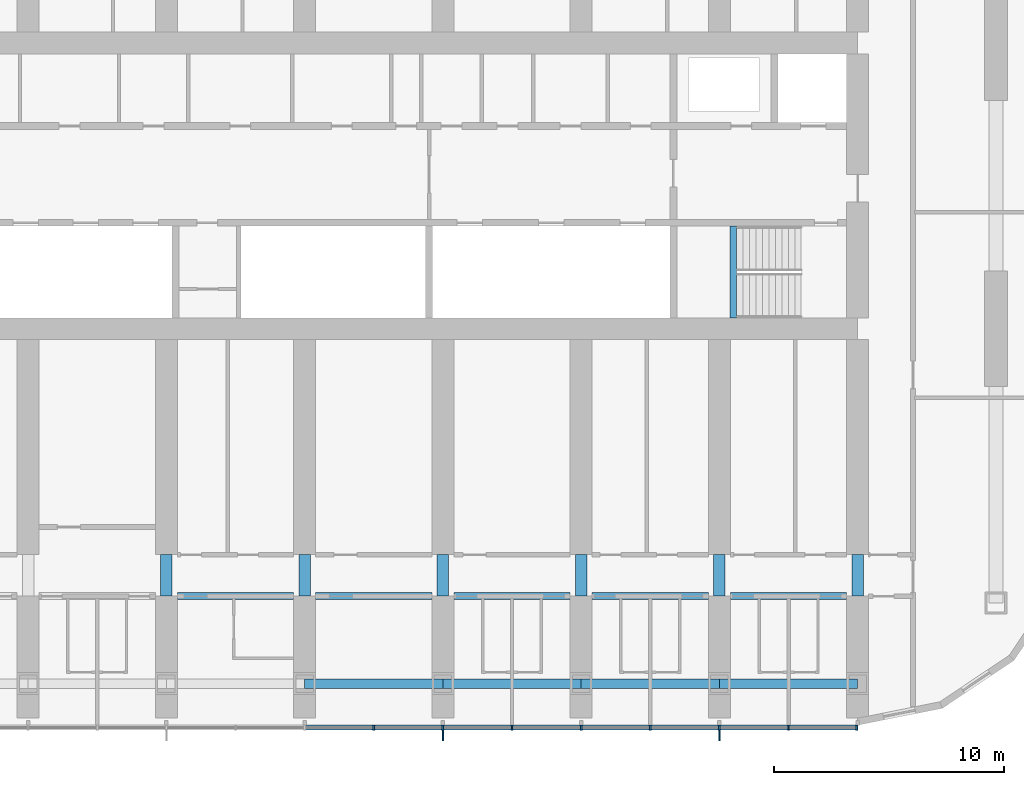
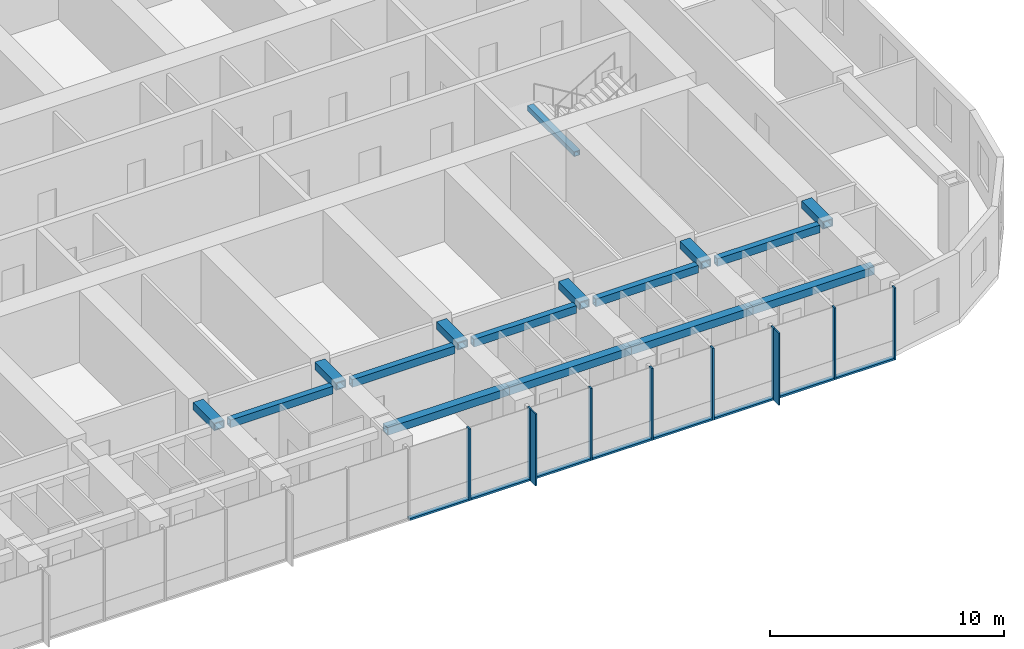
# One storey, part 3 of 22: 18 members, 16 beams, 1 element without a shape of its own.
"""IFC4 building model written with IfcOpenShell, lengths in metres."""

from ifc_helpers import new_model, si_unit, direction, frame, origin, origin_2d, place, context, subcontext, project, spatial, rectangle, hollow_rectangle, extrude, material, material_profile, profile_set, type_object, element, aggregate, save


model = new_model("IFC4")

# Units and contexts
model_context = context("Model", 3, precision=1e-05, world=origin(), true_north=direction((0.0, 1.0)))
body_context = subcontext(model_context, "Body", "Model", "MODEL_VIEW")
ifc_project = project(units=[si_unit("LENGTHUNIT", "METRE"), si_unit("AREAUNIT", "SQUARE_METRE"), si_unit("VOLUMEUNIT", "CUBIC_METRE"), si_unit("PLANEANGLEUNIT", "RADIAN"), si_unit("MASSUNIT", "GRAM", prefix="KILO")], contexts=[model_context])

# Site, building, storey
site_placement = place(None, origin())
site = spatial("IfcSite", under=ifc_project, at=site_placement, CompositionType="ELEMENT")
building_placement = place(site_placement, origin())
building = spatial("IfcBuilding", under=site, at=building_placement, Name="Orbita Commons", CompositionType="ELEMENT")
storey_placement = place(building_placement, frame((0.0, 0.0, 121.89990234375)))
storey = spatial("IfcBuildingStorey", under=building, at=storey_placement, Name="L30", CompositionType="ELEMENT", Elevation=121.89990234375)

# Curtain wall, members
ifc_material_1 = material(Name="Anodised aluminium frame, pale silver", Category="aluminium")
curtain_wall_type = type_object("IfcCurtainWallType", Name="Unitised curtain wall CW-T, vision and spandrel", PredefinedType="NOTDEFINED", material=ifc_material_1)
curtain_wall_placement = place(storey_placement, origin())
curtain_wall = element("IfcCurtainWall", 1, at=curtain_wall_placement, inside=storey, type_object=curtain_wall_type, Name="Curtain wall south L30", PredefinedType="NOTDEFINED")
ifc_material_2 = material(Name="Anodised aluminium, pale silver", Category="aluminium")
ifc_material_profile_1 = material_profile(ifc_material_2, rectangle(XDim=0.080078125, YDim=0.219970703125, at=origin_2d()), Name="AL 80x220")
ifc_profile_set_1 = profile_set([ifc_material_profile_1], Name="Anodised aluminium, pale silver")
member_type_1 = type_object("IfcMemberType", Name="Curtain wall mullion 80x220", PredefinedType="MULLION", material=ifc_profile_set_1)
member_1_placement = place(storey_placement, frame((45.0, 8.489990234375, -0.25), z_axis=(0.0, 0.0, 1.0), x_axis=(1.0, 0.0, 0.0)))
member_1 = element("IfcMember", 2, at=member_1_placement, type_object=member_type_1, Name="Mullion 12 CW-L30-S", PredefinedType="MULLION", context=body_context, shape_type="SweptSolid", body=[
    extrude(rectangle(XDim=0.080078125, YDim=0.219970703125, at=origin_2d()), origin(), (0.0, 0.0, 1.0), 3.75),
])
member_2_placement = place(storey_placement, frame((48.0, 8.489990234375, -0.25), z_axis=(0.0, 0.0, 1.0), x_axis=(1.0, 0.0, 0.0)))
member_2 = element("IfcMember", 3, at=member_2_placement, type_object=member_type_1, Name="Mullion 13 CW-L30-S", PredefinedType="MULLION", context=body_context, shape_type="SweptSolid", body=[
    extrude(rectangle(XDim=0.080078125, YDim=0.219970703125, at=origin_2d()), origin(), (0.0, 0.0, 1.0), 3.75),
])
member_3_placement = place(storey_placement, frame((51.0, 8.489990234375, -0.25), z_axis=(0.0, 0.0, 1.0), x_axis=(1.0, 0.0, 0.0)))
member_3 = element("IfcMember", 4, at=member_3_placement, type_object=member_type_1, Name="Mullion 14 CW-L30-S", PredefinedType="MULLION", context=body_context, shape_type="SweptSolid", body=[
    extrude(rectangle(XDim=0.080078125, YDim=0.219970703125, at=origin_2d()), origin(), (0.0, 0.0, 1.0), 3.75),
])
member_4_placement = place(storey_placement, frame((54.0, 8.489990234375, -0.25), z_axis=(0.0, 0.0, 1.0), x_axis=(1.0, 0.0, 0.0)))
member_4 = element("IfcMember", 5, at=member_4_placement, type_object=member_type_1, Name="Mullion 15 CW-L30-S", PredefinedType="MULLION", context=body_context, shape_type="SweptSolid", body=[
    extrude(rectangle(XDim=0.080078125, YDim=0.219970703125, at=origin_2d()), origin(), (0.0, 0.0, 1.0), 3.75),
])
member_5_placement = place(storey_placement, frame((57.0, 8.489990234375, -0.25), z_axis=(0.0, 0.0, 1.0), x_axis=(1.0, 0.0, 0.0)))
member_5 = element("IfcMember", 6, at=member_5_placement, type_object=member_type_1, Name="Mullion 16 CW-L30-S", PredefinedType="MULLION", context=body_context, shape_type="SweptSolid", body=[
    extrude(rectangle(XDim=0.080078125, YDim=0.219970703125, at=origin_2d()), origin(), (0.0, 0.0, 1.0), 3.75),
])
member_6_placement = place(storey_placement, frame((60.0, 8.489990234375, -0.25), z_axis=(0.0, 0.0, 1.0), x_axis=(1.0, 0.0, 0.0)))
member_6 = element("IfcMember", 7, at=member_6_placement, type_object=member_type_1, Name="Mullion 17 CW-L30-S", PredefinedType="MULLION", context=body_context, shape_type="SweptSolid", body=[
    extrude(rectangle(XDim=0.080078125, YDim=0.219970703125, at=origin_2d()), origin(), (0.0, 0.0, 1.0), 3.75),
])
member_7_placement = place(storey_placement, frame((63.0, 8.489990234375, -0.25), z_axis=(0.0, 0.0, 1.0), x_axis=(1.0, 0.0, 0.0)))
member_7 = element("IfcMember", 8, at=member_7_placement, type_object=member_type_1, Name="Mullion 18 CW-L30-S", PredefinedType="MULLION", context=body_context, shape_type="SweptSolid", body=[
    extrude(rectangle(XDim=0.080078125, YDim=0.219970703125, at=origin_2d()), origin(), (0.0, 0.0, 1.0), 3.75),
])
member_8_placement = place(storey_placement, frame((65.9599609375, 8.489990234375, -0.25), z_axis=(0.0, 0.0, 1.0), x_axis=(1.0, 0.0, 0.0)))
member_8 = element("IfcMember", 9, at=member_8_placement, type_object=member_type_1, Name="Mullion 19 CW-L30-S", PredefinedType="MULLION", context=body_context, shape_type="SweptSolid", body=[
    extrude(rectangle(XDim=0.080078125, YDim=0.219970703125, at=origin_2d()), origin(), (0.0, 0.0, 1.0), 3.75),
])
ifc_material_3 = material(Name="Anodised aluminium, pale silver", Category="aluminium")
ifc_material_profile_2 = material_profile(ifc_material_3, rectangle(XDim=0.219970703125, YDim=0.10009765625, at=origin_2d()), Name="AL 220x100")
ifc_profile_set_2 = profile_set([ifc_material_profile_2], Name="Anodised aluminium, pale silver")
member_type_2 = type_object("IfcMemberType", Name="Curtain wall stack transom 220x100", PredefinedType="USERDEFINED", material=ifc_profile_set_2)
member_9_placement = place(storey_placement, frame((42.0400390625, 8.489990234375, -0.199951171875), z_axis=(1.0, 0.0, 0.0), x_axis=(0.0, 1.0, 0.0)))
member_9 = element("IfcMember", 10, at=member_9_placement, type_object=member_type_2, Name="Transom 11.1 CW-L30-S", ObjectType="TRANSOM", PredefinedType="USERDEFINED", context=body_context, shape_type="SweptSolid", body=[
    extrude(rectangle(XDim=0.219970703125, YDim=0.10009765625, at=origin_2d()), origin(), (0.0, 0.0, 1.0), 2.919921875),
])
member_10_placement = place(storey_placement, frame((45.0400390625, 8.489990234375, -0.199951171875), z_axis=(1.0, 0.0, 0.0), x_axis=(0.0, 1.0, 0.0)))
member_10 = element("IfcMember", 11, at=member_10_placement, type_object=member_type_2, Name="Transom 12.1 CW-L30-S", ObjectType="TRANSOM", PredefinedType="USERDEFINED", context=body_context, shape_type="SweptSolid", body=[
    extrude(rectangle(XDim=0.219970703125, YDim=0.10009765625, at=origin_2d()), origin(), (0.0, 0.0, 1.0), 2.919921875),
])
member_11_placement = place(storey_placement, frame((48.0400390625, 8.489990234375, -0.199951171875), z_axis=(1.0, 0.0, 0.0), x_axis=(0.0, 1.0, 0.0)))
member_11 = element("IfcMember", 12, at=member_11_placement, type_object=member_type_2, Name="Transom 13.1 CW-L30-S", ObjectType="TRANSOM", PredefinedType="USERDEFINED", context=body_context, shape_type="SweptSolid", body=[
    extrude(rectangle(XDim=0.219970703125, YDim=0.10009765625, at=origin_2d()), origin(), (0.0, 0.0, 1.0), 2.919921875),
])
member_12_placement = place(storey_placement, frame((51.0400390625, 8.489990234375, -0.199951171875), z_axis=(1.0, 0.0, 0.0), x_axis=(0.0, 1.0, 0.0)))
member_12 = element("IfcMember", 13, at=member_12_placement, type_object=member_type_2, Name="Transom 14.1 CW-L30-S", ObjectType="TRANSOM", PredefinedType="USERDEFINED", context=body_context, shape_type="SweptSolid", body=[
    extrude(rectangle(XDim=0.219970703125, YDim=0.10009765625, at=origin_2d()), origin(), (0.0, 0.0, 1.0), 2.919921875),
])
member_13_placement = place(storey_placement, frame((54.0400390625, 8.489990234375, -0.199951171875), z_axis=(1.0, 0.0, 0.0), x_axis=(0.0, 1.0, 0.0)))
member_13 = element("IfcMember", 14, at=member_13_placement, type_object=member_type_2, Name="Transom 15.1 CW-L30-S", ObjectType="TRANSOM", PredefinedType="USERDEFINED", context=body_context, shape_type="SweptSolid", body=[
    extrude(rectangle(XDim=0.219970703125, YDim=0.10009765625, at=origin_2d()), origin(), (0.0, 0.0, 1.0), 2.919921875),
])
member_14_placement = place(storey_placement, frame((57.0400390625, 8.489990234375, -0.199951171875), z_axis=(1.0, 0.0, 0.0), x_axis=(0.0, 1.0, 0.0)))
member_14 = element("IfcMember", 15, at=member_14_placement, type_object=member_type_2, Name="Transom 16.1 CW-L30-S", ObjectType="TRANSOM", PredefinedType="USERDEFINED", context=body_context, shape_type="SweptSolid", body=[
    extrude(rectangle(XDim=0.219970703125, YDim=0.10009765625, at=origin_2d()), origin(), (0.0, 0.0, 1.0), 2.919921875),
])
member_15_placement = place(storey_placement, frame((60.0400390625, 8.489990234375, -0.199951171875), z_axis=(1.0, 0.0, 0.0), x_axis=(0.0, 1.0, 0.0)))
member_15 = element("IfcMember", 16, at=member_15_placement, type_object=member_type_2, Name="Transom 17.1 CW-L30-S", ObjectType="TRANSOM", PredefinedType="USERDEFINED", context=body_context, shape_type="SweptSolid", body=[
    extrude(rectangle(XDim=0.219970703125, YDim=0.10009765625, at=origin_2d()), origin(), (0.0, 0.0, 1.0), 2.919921875),
])
member_16_placement = place(storey_placement, frame((63.0400390625, 8.489990234375, -0.199951171875), z_axis=(1.0, 0.0, 0.0), x_axis=(0.0, 1.0, 0.0)))
member_16 = element("IfcMember", 17, at=member_16_placement, type_object=member_type_2, Name="Transom 18.1 CW-L30-S", ObjectType="TRANSOM", PredefinedType="USERDEFINED", context=body_context, shape_type="SweptSolid", body=[
    extrude(rectangle(XDim=0.219970703125, YDim=0.10009765625, at=origin_2d()), origin(), (0.0, 0.0, 1.0), 2.8798828125),
])

# Beams
ifc_material_4 = material(Name="Steel ASTM A572 Gr 50 welded plate", Category="steel")
ifc_material_profile_3 = material_profile(ifc_material_4, hollow_rectangle(XDim=0.300048828125, YDim=0.25, WallThickness=0.02490234375, at=origin_2d()), Name="BOX 250x300x25")
ifc_profile_set_3 = profile_set([ifc_material_profile_3], Name="Steel ASTM A572 Gr 50 welded plate")
beam_type_1 = type_object("IfcBeamType", Name="Stair landing beam steel BOX 250x300x25", PredefinedType="BEAM", material=ifc_profile_set_3)
beam_placement = place(storey_placement, frame((60.60009765625, 26.260009765625, 1.550048828125), z_axis=(0.0, 1.0, 0.0), x_axis=(-1.0, 0.0, 0.0)))
element("IfcBeam", 18, at=beam_placement, inside=storey, type_object=beam_type_1, Name="Stair S2 landing beam L30 1", PredefinedType="BEAM", context=body_context, shape_type="SweptSolid", body=[
    extrude(hollow_rectangle(XDim=0.300048828125, YDim=0.25, WallThickness=0.02490234375, at=origin_2d()), origin(), (0.0, 0.0, 1.0), 4.0048828125),
])
ifc_material_5 = material(Name="Steel ASTM A572 Gr 50 welded plate", Category="steel")
ifc_material_profile_4 = material_profile(ifc_material_5, hollow_rectangle(XDim=0.300048828125, YDim=0.39990234375, WallThickness=0.0400390625, at=origin_2d()), Name="BOX 400x300x40")
ifc_profile_set_4 = profile_set([ifc_material_profile_4], Name="Steel ASTM A572 Gr 50 welded plate")
beam_type_2 = type_object("IfcBeamType", Name="Steel corridor link BOX 400x300x40", PredefinedType="BEAM", material=ifc_profile_set_4)
for number, where, z_axis, x_axis, name in (
    (19, (36.47509765625, 14.199951171875, 3.300048828125), (1.0, 0.0, 0.0), (0.0, 1.0, 0.0), "Corridor beam SA 7-8 L30"),
    (20, (42.47509765625, 14.199951171875, 3.300048828125), (1.0, 0.0, 0.0), (0.0, 1.0, 0.0), "Corridor beam SA 8-9 L30"),
    (21, (48.47509765625, 14.199951171875, 3.300048828125), (1.0, 0.0, 0.0), (0.0, 1.0, 0.0), "Corridor beam SA 9-10 L30"),
    (22, (54.47509765625, 14.199951171875, 3.300048828125), (1.0, 0.0, 0.0), (0.0, 1.0, 0.0), "Corridor beam SA 10-11 L30"),
    (23, (60.47509765625, 14.199951171875, 3.300048828125), (1.0, 0.0, 0.0), (0.0, 1.0, 0.0), "Corridor beam SA 11-12 L30"),
):
    element("IfcBeam", number, at=place(storey_placement, frame(where, z_axis=z_axis, x_axis=x_axis)), inside=storey, type_object=beam_type_2, Name=name, PredefinedType="BEAM", context=body_context, shape_type="SweptSolid", body=[
        extrude(hollow_rectangle(XDim=0.300048828125, YDim=0.39990234375, WallThickness=0.0400390625, at=origin_2d()), origin(), (0.0, 0.0, 1.0), 5.0498046875),
    ])
ifc_material_6 = material(Name="Steel ASTM A572 Gr 50 welded plate", Category="steel")
ifc_material_profile_5 = material_profile(ifc_material_6, hollow_rectangle(XDim=0.5, YDim=0.39990234375, WallThickness=0.050048828125, at=origin_2d()), Name="BOX 400x500x50")
ifc_profile_set_5 = profile_set([ifc_material_profile_5], Name="Steel ASTM A572 Gr 50 welded plate")
beam_type_3 = type_object("IfcBeamType", Name="Steel coupling link BOX 400x500x50", PredefinedType="LINTEL", material=ifc_profile_set_5)
for number, where, z_axis, x_axis, name in (
    (24, (36.0, 14.199951171875, 3.300048828125), (0.0, 1.0, 0.0), (-1.0, 0.0, 0.0), "Coupling beam 7 south L30"),
    (25, (42.0, 14.199951171875, 3.300048828125), (0.0, 1.0, 0.0), (-1.0, 0.0, 0.0), "Coupling beam 8 south L30"),
    (26, (48.0, 14.199951171875, 3.300048828125), (0.0, 1.0, 0.0), (-1.0, 0.0, 0.0), "Coupling beam 9 south L30"),
    (27, (54.0, 14.199951171875, 3.300048828125), (0.0, 1.0, 0.0), (-1.0, 0.0, 0.0), "Coupling beam 10 south L30"),
    (28, (60.0, 14.199951171875, 3.300048828125), (0.0, 1.0, 0.0), (-1.0, 0.0, 0.0), "Coupling beam 11 south L30"),
    (29, (66.0, 14.199951171875, 3.300048828125), (0.0, 1.0, 0.0), (-1.0, 0.0, 0.0), "Coupling beam 12 south L30"),
):
    element("IfcBeam", number, at=place(storey_placement, frame(where, z_axis=z_axis, x_axis=x_axis)), inside=storey, type_object=beam_type_3, Name=name, PredefinedType="LINTEL", context=body_context, shape_type="SweptSolid", body=[
        extrude(hollow_rectangle(XDim=0.5, YDim=0.39990234375, WallThickness=0.050048828125, at=origin_2d()), origin(), (0.0, 0.0, 1.0), 1.800048828125),
    ])
ifc_material_7 = material(Name="Steel ASTM A572 Gr 50 welded plate", Category="steel")
ifc_material_profile_6 = material_profile(ifc_material_7, hollow_rectangle(XDim=0.39990234375, YDim=0.39990234375, WallThickness=0.0400390625, at=origin_2d()), Name="BOX 400x400x40")
ifc_profile_set_6 = profile_set([ifc_material_profile_6], Name="Steel ASTM A572 Gr 50 welded plate")
beam_type_4 = type_object("IfcBeamType", Name="Steel spandrel BOX 400x400x40", PredefinedType="SPANDREL", material=ifc_profile_set_6)
for number, where, z_axis, x_axis, name in (
    (30, (42.0, 10.39990234375, 3.300048828125), (1.0, 0.0, 0.0), (0.0, 1.0, 0.0), "Spandrel beam B 8-9 L30"),
    (31, (48.0, 10.39990234375, 3.300048828125), (1.0, 0.0, 0.0), (0.0, 1.0, 0.0), "Spandrel beam B 9-10 L30"),
    (32, (54.0, 10.39990234375, 3.300048828125), (1.0, 0.0, 0.0), (0.0, 1.0, 0.0), "Spandrel beam B 10-11 L30"),
    (33, (60.0, 10.39990234375, 3.300048828125), (1.0, 0.0, 0.0), (0.0, 1.0, 0.0), "Spandrel beam B 11-12 L30"),
):
    element("IfcBeam", number, at=place(storey_placement, frame(where, z_axis=z_axis, x_axis=x_axis)), inside=storey, type_object=beam_type_4, Name=name, PredefinedType="SPANDREL", context=body_context, shape_type="SweptSolid", body=[
        extrude(hollow_rectangle(XDim=0.39990234375, YDim=0.39990234375, WallThickness=0.0400390625, at=origin_2d()), origin(), (0.0, 0.0, 1.0), 6.0),
    ])

# Member
ifc_material_8 = material(Name="Anodised aluminium, pale silver", Category="aluminium")
ifc_material_profile_7 = material_profile(ifc_material_8, rectangle(XDim=0.06005859375, YDim=0.449951171875, at=origin_2d()), Name="FIN 60x450")
ifc_profile_set_7 = profile_set([ifc_material_profile_7], Name="Anodised aluminium, pale silver")
member_type_3 = type_object("IfcMemberType", Name="Vertical fin 60x450 pale aluminium", PredefinedType="USERDEFINED", material=ifc_profile_set_7)
member_17_placement = place(storey_placement, frame((48.0, 8.155029296875, -0.25), z_axis=(0.0, 0.0, 1.0), x_axis=(1.0, 0.0, 0.0)))
member_17 = element("IfcMember", 34, at=member_17_placement, type_object=member_type_3, Name="Fin 13 CW-L30-S", ObjectType="FIN", PredefinedType="USERDEFINED", context=body_context, shape_type="SweptSolid", body=[
    extrude(rectangle(XDim=0.06005859375, YDim=0.449951171875, at=origin_2d()), origin(), (0.0, 0.0, 1.0), 3.75),
])

member_18_placement = place(storey_placement, frame((60.0, 8.155029296875, -0.25), z_axis=(0.0, 0.0, 1.0), x_axis=(1.0, 0.0, 0.0)))
member_18 = element("IfcMember", 35, at=member_18_placement, type_object=member_type_3, Name="Fin 17 CW-L30-S", ObjectType="FIN", PredefinedType="USERDEFINED", context=body_context, shape_type="SweptSolid", body=[
    extrude(rectangle(XDim=0.06005859375, YDim=0.449951171875, at=origin_2d()), origin(), (0.0, 0.0, 1.0), 3.75),
])

aggregate(curtain_wall, [member_1, member_2, member_17, member_3, member_4, member_5, member_6, member_18, member_7, member_8, member_9, member_10, member_11, member_12, member_13, member_14, member_15, member_16])

save(model, "model.ifc")
